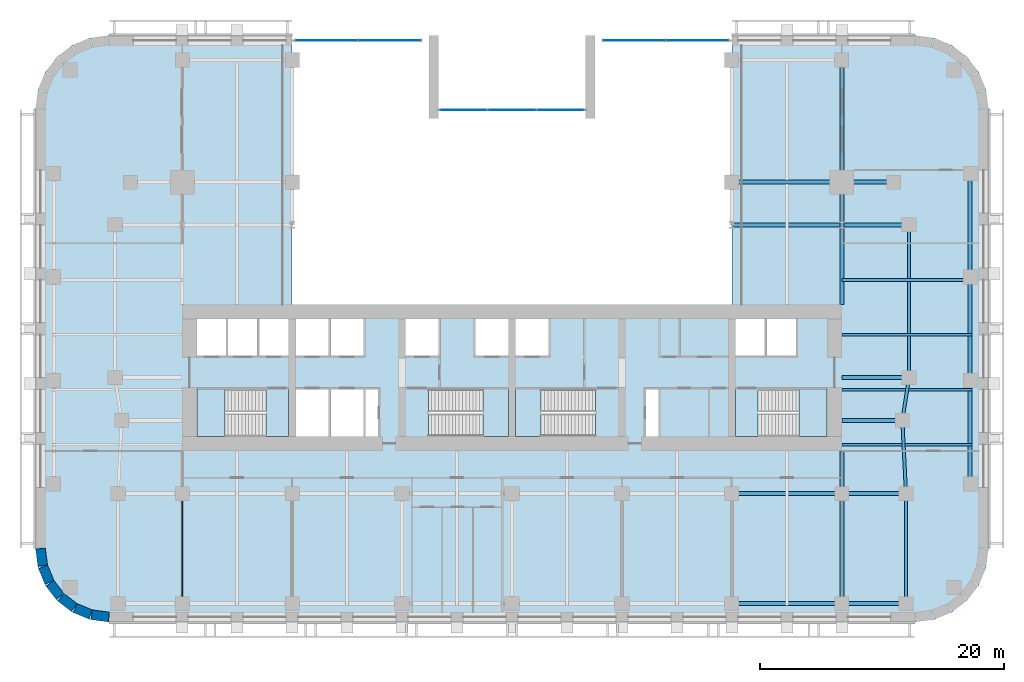
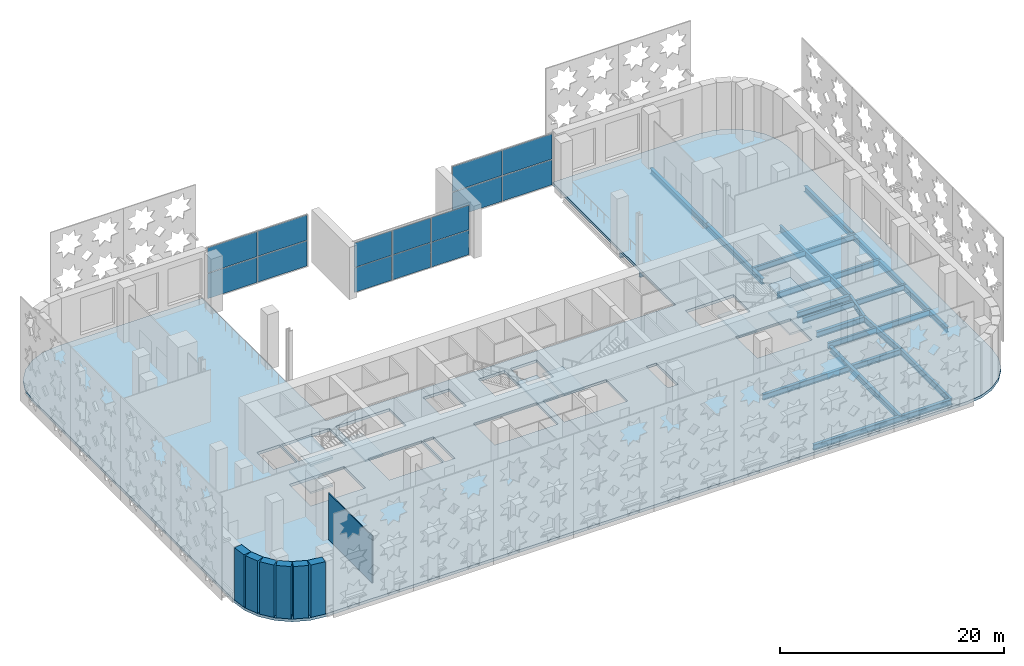
# One storey, part 4 of 17: 19 beams, 14 plates, 9 slabs, 7 walls, 9 elements without a shape of their own.
"""IFC4 building model written with IfcOpenShell, lengths in metres."""

from ifc_helpers import new_model, si_unit, direction, frame, frame_2d, origin, origin_2d, place, context, subcontext, project, spatial, polyline, rectangle, i_section, outline, extrude, material, layer, layer_set, material_profile, profile_set, type_object, element, aggregate, save


model = new_model("IFC4")

# Units and contexts
model_context = context("Model", 3, precision=1e-05, world=origin(), true_north=direction((0.0, 1.0)))
body_context = subcontext(model_context, "Body", "Model", "MODEL_VIEW")
ifc_project = project(units=[si_unit("LENGTHUNIT", "METRE"), si_unit("AREAUNIT", "SQUARE_METRE"), si_unit("VOLUMEUNIT", "CUBIC_METRE"), si_unit("PLANEANGLEUNIT", "RADIAN"), si_unit("MASSUNIT", "GRAM", prefix="KILO")], contexts=[model_context])

# Site, building, storey
site_placement = place(None, origin())
site = spatial("IfcSite", under=ifc_project, at=site_placement, CompositionType="ELEMENT")
building_placement = place(site_placement, origin())
building = spatial("IfcBuilding", under=site, at=building_placement, Name="Zellij Exchange Tower", CompositionType="ELEMENT")
storey_placement = place(building_placement, frame((0.0, 0.0, 9.0)))
storey = spatial("IfcBuildingStorey", under=building, at=storey_placement, Name="L01", CompositionType="ELEMENT", Elevation=9.0)

# Beams
ifc_material_1 = material(Name="Structural steel ASTM A992 Gr 50", Category="steel")
ifc_material_profile_1 = material_profile(ifc_material_1, i_section(OverallWidth=0.22900390625, OverallDepth=0.612060546875, WebThickness=0.011962890625, FlangeThickness=0.01953125, at=origin_2d()), Name="W24x84")
ifc_profile_set_1 = profile_set([ifc_material_profile_1], Name="Structural steel ASTM A992 Gr 50")
beam_type_1 = type_object("IfcBeamType", Name="STR-BEAM W24x84", PredefinedType="BEAM", material=ifc_profile_set_1)
for number, where, z_axis, x_axis, name in (
    (1, (27.0, -13.5, -0.606201171875), (1.0, 0.0, 0.0), (0.0, 1.0, 0.0), "B6"),
    (2, (27.0, -9.0, -0.606201171875), (1.0, 0.0, 0.0), (0.0, 1.0, 0.0), "B6"),
    (3, (27.0, -4.5, -0.606201171875), (1.0, 0.0, 0.0), (0.0, 1.0, 0.0), "B6"),
    (4, (27.0, 0.0, -0.606201171875), (1.0, 0.0, 0.0), (0.0, 1.0, 0.0), "B6"),
):
    element("IfcBeam", number, at=place(storey_placement, frame(where, z_axis=z_axis, x_axis=x_axis)), inside=storey, type_object=beam_type_1, Name=name, PredefinedType="BEAM", context=body_context, shape_type="SweptSolid", body=[
        extrude(i_section(OverallWidth=0.22900390625, OverallDepth=0.612060546875, WebThickness=0.011962890625, FlangeThickness=0.01953125, at=origin_2d()), origin(), (0.0, 0.0, 1.0), 10.66259765625),
    ])
ifc_material_profile_2 = material_profile(ifc_material_1, i_section(OverallWidth=0.25390625, OverallDepth=0.67822265625, WebThickness=0.01171875, FlangeThickness=0.016357421875, at=origin_2d()), Name="W27x84")
ifc_profile_set_2 = profile_set([ifc_material_profile_2], Name="Structural steel ASTM A992 Gr 50")
beam_type_2 = type_object("IfcBeamType", Name="STR-EDGE GIRDER W27x84", PredefinedType="BEAM", material=ifc_profile_set_2)
beam_1_placement = place(storey_placement, frame((32.25, -26.5, -0.63916015625), z_axis=(0.0, 1.0, 0.0), x_axis=(-1.0, 0.0, 0.0)))
element("IfcBeam", 5, at=beam_1_placement, inside=storey, type_object=beam_type_2, Name="EB7", PredefinedType="BEAM", context=body_context, shape_type="SweptSolid", body=[
    extrude(i_section(OverallWidth=0.25390625, OverallDepth=0.67822265625, WebThickness=0.01171875, FlangeThickness=0.016357421875, at=origin_2d()), origin(), (0.0, 0.0, 1.0), 9.0),
])
beam_2_placement = place(storey_placement, frame((32.25, -17.5, -0.63916015625), z_axis=(-0.049945724537, 0.998751933465, 0.0), x_axis=(-0.998751933465, -0.049945724537, 0.0)))
element("IfcBeam", 6, at=beam_2_placement, inside=storey, type_object=beam_type_2, Name="EB7", PredefinedType="BEAM", context=body_context, shape_type="SweptSolid", body=[
    extrude(i_section(OverallWidth=0.25390625, OverallDepth=0.67822265625, WebThickness=0.01171875, FlangeThickness=0.016357421875, at=origin_2d()), origin(), (0.0, 0.0, 1.0), 6.007568359375),
])
beam_3_placement = place(storey_placement, frame((31.949951171875, -11.5, -0.63916015625), z_axis=(0.155251283593, 0.987875011802, 0.0), x_axis=(-0.987875011802, 0.155251283593, 0.0)))
element("IfcBeam", 7, at=beam_3_placement, inside=storey, type_object=beam_type_2, Name="EB7", PredefinedType="BEAM", context=body_context, shape_type="SweptSolid", body=[
    extrude(i_section(OverallWidth=0.25390625, OverallDepth=0.67822265625, WebThickness=0.01171875, FlangeThickness=0.016357421875, at=origin_2d()), origin(), (0.0, 0.0, 1.0), 3.54296875),
])
beam_4_placement = place(storey_placement, frame((32.5, -8.0, -0.63916015625), z_axis=(0.0, 1.0, 0.0), x_axis=(-1.0, 0.0, 0.0)))
element("IfcBeam", 8, at=beam_4_placement, inside=storey, type_object=beam_type_2, Name="EB7", PredefinedType="BEAM", context=body_context, shape_type="SweptSolid", body=[
    extrude(i_section(OverallWidth=0.25390625, OverallDepth=0.67822265625, WebThickness=0.01171875, FlangeThickness=0.016357421875, at=origin_2d()), origin(), (0.0, 0.0, 1.0), 12.5),
])
ifc_material_profile_3 = material_profile(ifc_material_1, i_section(OverallWidth=0.3251953125, OverallDepth=0.612060546875, WebThickness=0.0126953125, FlangeThickness=0.01904296875, at=origin_2d()), Name="W24x104")
ifc_profile_set_3 = profile_set([ifc_material_profile_3], Name="Structural steel ASTM A992 Gr 50")
beam_type_3 = type_object("IfcBeamType", Name="STR-GIRDER W24x104", PredefinedType="BEAM", material=ifc_profile_set_3)
for number, where, z_axis, x_axis, name in (
    (9, (18.0, -26.5, -0.606201171875), (1.0, 0.0, 0.0), (0.0, 1.0, 0.0), "G3"),
    (10, (18.0, -17.5, -0.606201171875), (1.0, 0.0, 0.0), (0.0, 1.0, 0.0), "G3"),
):
    element("IfcBeam", number, at=place(storey_placement, frame(where, z_axis=z_axis, x_axis=x_axis)), inside=storey, type_object=beam_type_3, Name=name, PredefinedType="BEAM", context=body_context, shape_type="SweptSolid", body=[
        extrude(i_section(OverallWidth=0.3251953125, OverallDepth=0.612060546875, WebThickness=0.0126953125, FlangeThickness=0.01904296875, at=origin_2d()), origin(), (0.0, 0.0, 1.0), 14.25),
    ])
beam_5_placement = place(storey_placement, frame((27.0, -11.5, -0.606201171875), z_axis=(1.0, 0.0, 0.0), x_axis=(0.0, 1.0, 0.0)))
element("IfcBeam", 11, at=beam_5_placement, inside=storey, type_object=beam_type_3, Name="G3", PredefinedType="BEAM", context=body_context, shape_type="SweptSolid", body=[
    extrude(i_section(OverallWidth=0.3251953125, OverallDepth=0.612060546875, WebThickness=0.0126953125, FlangeThickness=0.01904296875, at=origin_2d()), origin(), (0.0, 0.0, 1.0), 4.949951171875),
])
beam_6_placement = place(storey_placement, frame((27.0, -8.0, -0.606201171875), z_axis=(1.0, 0.0, 0.0), x_axis=(0.0, 1.0, 0.0)))
element("IfcBeam", 12, at=beam_6_placement, inside=storey, type_object=beam_type_3, Name="G3", PredefinedType="BEAM", context=body_context, shape_type="SweptSolid", body=[
    extrude(i_section(OverallWidth=0.3251953125, OverallDepth=0.612060546875, WebThickness=0.0126953125, FlangeThickness=0.01904296875, at=origin_2d()), origin(), (0.0, 0.0, 1.0), 5.5),
])
beam_7_placement = place(storey_placement, frame((18.0, 4.5, -0.606201171875), z_axis=(1.0, 0.0, 0.0), x_axis=(0.0, 1.0, 0.0)))
element("IfcBeam", 13, at=beam_7_placement, inside=storey, type_object=beam_type_3, Name="G3", PredefinedType="BEAM", context=body_context, shape_type="SweptSolid", body=[
    extrude(i_section(OverallWidth=0.3251953125, OverallDepth=0.612060546875, WebThickness=0.0126953125, FlangeThickness=0.01904296875, at=origin_2d()), origin(), (0.0, 0.0, 1.0), 14.5),
])
beam_8_placement = place(storey_placement, frame((18.0, 8.0, -0.606201171875), z_axis=(1.0, 0.0, 0.0), x_axis=(0.0, 1.0, 0.0)))
element("IfcBeam", 14, at=beam_8_placement, inside=storey, type_object=beam_type_3, Name="G3", PredefinedType="BEAM", context=body_context, shape_type="SweptSolid", body=[
    extrude(i_section(OverallWidth=0.3251953125, OverallDepth=0.612060546875, WebThickness=0.0126953125, FlangeThickness=0.01904296875, at=origin_2d()), origin(), (0.0, 0.0, 1.0), 13.25),
])
beam_9_placement = place(storey_placement, frame((27.0, -26.5, -0.606201171875), z_axis=(0.0, 1.0, 0.0), x_axis=(-1.0, 0.0, 0.0)))
element("IfcBeam", 15, at=beam_9_placement, inside=storey, type_object=beam_type_3, Name="G3", PredefinedType="BEAM", context=body_context, shape_type="SweptSolid", body=[
    extrude(i_section(OverallWidth=0.3251953125, OverallDepth=0.612060546875, WebThickness=0.0126953125, FlangeThickness=0.01904296875, at=origin_2d()), origin(), (0.0, 0.0, 1.0), 12.5),
])
for number, where, z_axis, x_axis, name in (
    (16, (27.0, -2.0, -0.606201171875), (0.0, 1.0, 0.0), (-1.0, 0.0, 0.0), "G3"),
    (17, (27.0, 8.0, -0.606201171875), (0.0, 1.0, 0.0), (-1.0, 0.0, 0.0), "G3"),
):
    element("IfcBeam", number, at=place(storey_placement, frame(where, z_axis=z_axis, x_axis=x_axis)), inside=storey, type_object=beam_type_3, Name=name, PredefinedType="BEAM", context=body_context, shape_type="SweptSolid", body=[
        extrude(i_section(OverallWidth=0.3251953125, OverallDepth=0.612060546875, WebThickness=0.0126953125, FlangeThickness=0.01904296875, at=origin_2d()), origin(), (0.0, 0.0, 1.0), 10.0),
    ])
beam_10_placement = place(storey_placement, frame((37.5, -16.708984375, -0.606201171875), z_axis=(0.0, 1.0, 0.0), x_axis=(-1.0, 0.0, 0.0)))
element("IfcBeam", 18, at=beam_10_placement, inside=storey, type_object=beam_type_3, Name="G3", PredefinedType="BEAM", context=body_context, shape_type="SweptSolid", body=[
    extrude(i_section(OverallWidth=0.3251953125, OverallDepth=0.612060546875, WebThickness=0.0126953125, FlangeThickness=0.01904296875, at=origin_2d()), origin(), (0.0, 0.0, 1.0), 16.945068359375),
])
beam_11_placement = place(storey_placement, frame((37.5, 0.236083984375, -0.606201171875), z_axis=(0.0, 1.0, 0.0), x_axis=(-1.0, 0.0, 0.0)))
element("IfcBeam", 19, at=beam_11_placement, inside=storey, type_object=beam_type_3, Name="G3", PredefinedType="BEAM", context=body_context, shape_type="SweptSolid", body=[
    extrude(i_section(OverallWidth=0.3251953125, OverallDepth=0.612060546875, WebThickness=0.0126953125, FlangeThickness=0.01904296875, at=origin_2d()), origin(), (0.0, 0.0, 1.0), 8.472900390625),
])

# Stair, slabs
ifc_material_2 = material(Name="Concrete C40/50", Category="concrete")
stair_type = type_object("IfcStairType", Name="CORE-ST exit stair 1850 wide", PredefinedType="HALF_TURN_STAIR", material=ifc_material_2)
stair_1_placement = place(storey_placement, origin())
stair_1 = element("IfcStair", 20, at=stair_1_placement, inside=storey, type_object=stair_type, Name="L01 exit stair ST1", PredefinedType="HALF_TURN_STAIR")
ifc_layer_1 = layer(ifc_material_2, 0.199951171875)
ifc_layer_set_1 = layer_set([ifc_layer_1], Name="Concrete C40/50")
slab_type_1 = type_object("IfcSlabType", Name="CORE-SL stair landing 200", PredefinedType="LANDING", material=ifc_layer_set_1)
slab_1_placement = place(storey_placement, frame((0.0, 0.0, 1.300048828125)))
slab_1 = element("IfcSlab", 21, at=slab_1_placement, type_object=slab_type_1, Name="ST1 landing 1", PredefinedType="LANDING", context=body_context, shape_type="SweptSolid", body=[
    extrude(outline(polyline([(-23.510009765625, -8.949951171875), (-25.800048828125, -8.949951171875), (-25.800048828125, -12.800048828125), (-23.510009765625, -12.800048828125), (-23.510009765625, -8.949951171875)])), origin(), (0.0, 0.0, 1.0), 0.199951171875),
])
slab_2_placement = place(storey_placement, frame((0.0, 0.0, 2.800048828125)))
slab_2 = element("IfcSlab", 22, at=slab_2_placement, type_object=slab_type_1, Name="ST1 landing 2", PredefinedType="LANDING", context=body_context, shape_type="SweptSolid", body=[
    extrude(outline(polyline([(-18.300048828125, -8.949951171875), (-20.14990234375, -8.949951171875), (-20.14990234375, -12.800048828125), (-18.300048828125, -12.800048828125), (-18.300048828125, -8.949951171875)])), origin(), (0.0, 0.0, 1.0), 0.199951171875),
])
slab_3_placement = place(storey_placement, frame((0.0, 0.0, 4.300048828125)))
slab_3 = element("IfcSlab", 23, at=slab_3_placement, type_object=slab_type_1, Name="ST1 landing 3", PredefinedType="LANDING", context=body_context, shape_type="SweptSolid", body=[
    extrude(outline(polyline([(-23.510009765625, -8.949951171875), (-25.800048828125, -8.949951171875), (-25.800048828125, -12.800048828125), (-23.510009765625, -12.800048828125), (-23.510009765625, -8.949951171875)])), origin(), (0.0, 0.0, 1.0), 0.199951171875),
])
aggregate(stair_1, [slab_1, slab_2, slab_3])

# Stair, slab
stair_2_placement = place(storey_placement, origin())
stair_2 = element("IfcStair", 24, at=stair_2_placement, inside=storey, type_object=stair_type, Name="L01 exit stair ST2", PredefinedType="HALF_TURN_STAIR")
slab_4_placement = place(storey_placement, frame((0.0, 0.0, 2.800048828125)))
slab_4 = element("IfcSlab", 25, at=slab_4_placement, type_object=slab_type_1, Name="ST2 landing 1", PredefinedType="LANDING", context=body_context, shape_type="SweptSolid", body=[
    extrude(outline(polyline([(-2.3701171875, -12.800048828125), (-0.300048828125, -12.800048828125), (-0.300048828125, -8.949951171875), (-2.3701171875, -8.949951171875), (-2.3701171875, -12.800048828125)])), origin(), (0.0, 0.0, 1.0), 0.199951171875),
])
aggregate(stair_2, [slab_4])

stair_3_placement = place(storey_placement, origin())
stair_3 = element("IfcStair", 26, at=stair_3_placement, inside=storey, type_object=stair_type, Name="L01 exit stair ST3", PredefinedType="HALF_TURN_STAIR")
slab_5_placement = place(storey_placement, frame((0.0, 0.0, 2.800048828125)))
slab_5 = element("IfcSlab", 27, at=slab_5_placement, type_object=slab_type_1, Name="ST3 landing 1", PredefinedType="LANDING", context=body_context, shape_type="SweptSolid", body=[
    extrude(outline(polyline([(2.3701171875, -8.949951171875), (0.300048828125, -8.949951171875), (0.300048828125, -12.800048828125), (2.3701171875, -12.800048828125), (2.3701171875, -8.949951171875)])), origin(), (0.0, 0.0, 1.0), 0.199951171875),
])
aggregate(stair_3, [slab_5])

# Stair, slabs
stair_4_placement = place(storey_placement, origin())
stair_4 = element("IfcStair", 28, at=stair_4_placement, inside=storey, type_object=stair_type, Name="L01 exit stair ST4", PredefinedType="HALF_TURN_STAIR")
slab_6_placement = place(storey_placement, frame((0.0, 0.0, 1.300048828125)))
slab_6 = element("IfcSlab", 29, at=slab_6_placement, type_object=slab_type_1, Name="ST4 landing 1", PredefinedType="LANDING", context=body_context, shape_type="SweptSolid", body=[
    extrude(outline(polyline([(23.510009765625, -12.800048828125), (25.800048828125, -12.800048828125), (25.800048828125, -8.949951171875), (23.510009765625, -8.949951171875), (23.510009765625, -12.800048828125)])), origin(), (0.0, 0.0, 1.0), 0.199951171875),
])
slab_7_placement = place(storey_placement, frame((0.0, 0.0, 2.800048828125)))
slab_7 = element("IfcSlab", 30, at=slab_7_placement, type_object=slab_type_1, Name="ST4 landing 2", PredefinedType="LANDING", context=body_context, shape_type="SweptSolid", body=[
    extrude(outline(polyline([(18.300048828125, -12.800048828125), (20.14990234375, -12.800048828125), (20.14990234375, -8.949951171875), (18.300048828125, -8.949951171875), (18.300048828125, -12.800048828125)])), origin(), (0.0, 0.0, 1.0), 0.199951171875),
])
slab_8_placement = place(storey_placement, frame((0.0, 0.0, 4.300048828125)))
slab_8 = element("IfcSlab", 31, at=slab_8_placement, type_object=slab_type_1, Name="ST4 landing 3", PredefinedType="LANDING", context=body_context, shape_type="SweptSolid", body=[
    extrude(outline(polyline([(23.510009765625, -12.800048828125), (25.800048828125, -12.800048828125), (25.800048828125, -8.949951171875), (23.510009765625, -8.949951171875), (23.510009765625, -12.800048828125)])), origin(), (0.0, 0.0, 1.0), 0.199951171875),
])
aggregate(stair_4, [slab_6, slab_7, slab_8])

# Curtain wall, plates
ifc_material_3 = material(Name="Aluminium frame, clear insulating glass", Category="aluminium")
curtain_wall_type_1 = type_object("IfcCurtainWallType", Name="ENV-CW3 Exchange-hall glazing", PredefinedType="NOTDEFINED", material=ifc_material_3)
curtain_wall_1_placement = place(storey_placement, origin())
curtain_wall_1 = element("IfcCurtainWall", 32, at=curtain_wall_1_placement, inside=storey, type_object=curtain_wall_type_1, Name="cw.L01.14b", PredefinedType="NOTDEFINED")
ifc_material_4 = material(Name="Insulating glass unit, clear", Category="glass")
ifc_layer_2 = layer(ifc_material_4, 0.0439453125)
ifc_layer_set_2 = layer_set([ifc_layer_2], Name="Insulating glass unit, clear")
plate_type_1 = type_object("IfcPlateType", Name="ENV-CW3P Glazed panel 44", PredefinedType="CURTAIN_PANEL", material=ifc_layer_set_2)
plate_1_placement = place(storey_placement, frame((15.179931640625, 19.60009765625, 0.080078125), z_axis=(0.0, 0.0, 1.0), x_axis=(-1.0, 0.0, 0.0)))
plate_1 = element("IfcPlate", 33, at=plate_1_placement, type_object=plate_type_1, Name="CW3 panel 1.1", PredefinedType="CURTAIN_PANEL", context=body_context, shape_type="SweptSolid", body=[
    extrude(rectangle(XDim=5.080078125, YDim=0.0439453125, at=origin_2d()), origin(), (0.0, 0.0, 1.0), 2.72998046875),
])
plate_2_placement = place(storey_placement, frame((15.179931640625, 19.60009765625, 2.889892578125), z_axis=(0.0, 0.0, 1.0), x_axis=(-1.0, 0.0, 0.0)))
plate_2 = element("IfcPlate", 34, at=plate_2_placement, type_object=plate_type_1, Name="CW3 panel 1.2", PredefinedType="CURTAIN_PANEL", context=body_context, shape_type="SweptSolid", body=[
    extrude(rectangle(XDim=5.080078125, YDim=0.0439453125, at=origin_2d()), origin(), (0.0, 0.0, 1.0), 2.72998046875),
])
plate_3_placement = place(storey_placement, frame((10.02001953125, 19.60009765625, 0.080078125), z_axis=(0.0, 0.0, 1.0), x_axis=(-1.0, 0.0, 0.0)))
plate_3 = element("IfcPlate", 35, at=plate_3_placement, type_object=plate_type_1, Name="CW3 panel 2.1", PredefinedType="CURTAIN_PANEL", context=body_context, shape_type="SweptSolid", body=[
    extrude(rectangle(XDim=5.080078125, YDim=0.0439453125, at=origin_2d()), origin(), (0.0, 0.0, 1.0), 2.72998046875),
])
plate_4_placement = place(storey_placement, frame((10.02001953125, 19.60009765625, 2.889892578125), z_axis=(0.0, 0.0, 1.0), x_axis=(-1.0, 0.0, 0.0)))
plate_4 = element("IfcPlate", 36, at=plate_4_placement, type_object=plate_type_1, Name="CW3 panel 2.2", PredefinedType="CURTAIN_PANEL", context=body_context, shape_type="SweptSolid", body=[
    extrude(rectangle(XDim=5.080078125, YDim=0.0439453125, at=origin_2d()), origin(), (0.0, 0.0, 1.0), 2.72998046875),
])
aggregate(curtain_wall_1, [plate_1, plate_2, plate_3, plate_4])

curtain_wall_2_placement = place(storey_placement, origin())
curtain_wall_2 = element("IfcCurtainWall", 37, at=curtain_wall_2_placement, inside=storey, type_object=curtain_wall_type_1, Name="cw.L01.14c", PredefinedType="NOTDEFINED")
plate_5_placement = place(storey_placement, frame((-10.02001953125, 19.60009765625, 0.080078125), z_axis=(0.0, 0.0, 1.0), x_axis=(-1.0, 0.0, 0.0)))
plate_5 = element("IfcPlate", 38, at=plate_5_placement, type_object=plate_type_1, Name="CW3 panel 1.1", PredefinedType="CURTAIN_PANEL", context=body_context, shape_type="SweptSolid", body=[
    extrude(rectangle(XDim=5.080078125, YDim=0.0439453125, at=origin_2d()), origin(), (0.0, 0.0, 1.0), 2.72998046875),
])
plate_6_placement = place(storey_placement, frame((-10.02001953125, 19.60009765625, 2.889892578125), z_axis=(0.0, 0.0, 1.0), x_axis=(-1.0, 0.0, 0.0)))
plate_6 = element("IfcPlate", 39, at=plate_6_placement, type_object=plate_type_1, Name="CW3 panel 1.2", PredefinedType="CURTAIN_PANEL", context=body_context, shape_type="SweptSolid", body=[
    extrude(rectangle(XDim=5.080078125, YDim=0.0439453125, at=origin_2d()), origin(), (0.0, 0.0, 1.0), 2.72998046875),
])
plate_7_placement = place(storey_placement, frame((-15.179931640625, 19.60009765625, 0.080078125), z_axis=(0.0, 0.0, 1.0), x_axis=(-1.0, 0.0, 0.0)))
plate_7 = element("IfcPlate", 40, at=plate_7_placement, type_object=plate_type_1, Name="CW3 panel 2.1", PredefinedType="CURTAIN_PANEL", context=body_context, shape_type="SweptSolid", body=[
    extrude(rectangle(XDim=5.080078125, YDim=0.0439453125, at=origin_2d()), origin(), (0.0, 0.0, 1.0), 2.72998046875),
])
plate_8_placement = place(storey_placement, frame((-15.179931640625, 19.60009765625, 2.889892578125), z_axis=(0.0, 0.0, 1.0), x_axis=(-1.0, 0.0, 0.0)))
plate_8 = element("IfcPlate", 41, at=plate_8_placement, type_object=plate_type_1, Name="CW3 panel 2.2", PredefinedType="CURTAIN_PANEL", context=body_context, shape_type="SweptSolid", body=[
    extrude(rectangle(XDim=5.080078125, YDim=0.0439453125, at=origin_2d()), origin(), (0.0, 0.0, 1.0), 2.72998046875),
])
aggregate(curtain_wall_2, [plate_5, plate_6, plate_7, plate_8])

ifc_material_5 = material(Name="Aluminium frame, clear laminated glass", Category="aluminium")
curtain_wall_type_2 = type_object("IfcCurtainWallType", Name="ENV-CW4 Iwan portal glazing", PredefinedType="NOTDEFINED", material=ifc_material_5)
curtain_wall_3_placement = place(storey_placement, origin())
curtain_wall_3 = element("IfcCurtainWall", 42, at=curtain_wall_3_placement, inside=storey, type_object=curtain_wall_type_2, Name="cw.L01.iwan.Na", PredefinedType="NOTDEFINED")
ifc_layer_3 = layer(ifc_material_4, 0.035888671875)
ifc_layer_set_3 = layer_set([ifc_layer_3], Name="Insulating glass unit, clear")
plate_type_2 = type_object("IfcPlateType", Name="ENV-CW4P Glazed panel 36", PredefinedType="CURTAIN_PANEL", material=ifc_layer_set_3)
plate_9_placement = place(storey_placement, frame((-3.97509765625, 13.919921875, 0.06005859375), z_axis=(0.0, 0.0, 1.0), x_axis=(1.0, 0.0, 0.0)))
plate_9 = element("IfcPlate", 43, at=plate_9_placement, type_object=plate_type_2, Name="CW4 panel 1.1", PredefinedType="CURTAIN_PANEL", context=body_context, shape_type="SweptSolid", body=[
    extrude(rectangle(XDim=3.830078125, YDim=0.035888671875, at=origin_2d()), origin(), (0.0, 0.0, 1.0), 2.659912109375),
])
plate_10_placement = place(storey_placement, frame((-3.97509765625, 13.919921875, 2.7802734375), z_axis=(0.0, 0.0, 1.0), x_axis=(1.0, 0.0, 0.0)))
plate_10 = element("IfcPlate", 44, at=plate_10_placement, type_object=plate_type_2, Name="CW4 panel 1.2", PredefinedType="CURTAIN_PANEL", context=body_context, shape_type="SweptSolid", body=[
    extrude(rectangle(XDim=3.830078125, YDim=0.035888671875, at=origin_2d()), origin(), (0.0, 0.0, 1.0), 2.659912109375),
])
aggregate(curtain_wall_3, [plate_9, plate_10])

curtain_wall_4_placement = place(storey_placement, origin())
curtain_wall_4 = element("IfcCurtainWall", 45, at=curtain_wall_4_placement, inside=storey, type_object=curtain_wall_type_2, Name="cw.L01.iwan.Nb", PredefinedType="NOTDEFINED")
plate_11_placement = place(storey_placement, frame((0.0, 13.919921875, 0.06005859375), z_axis=(0.0, 0.0, 1.0), x_axis=(1.0, 0.0, 0.0)))
plate_11 = element("IfcPlate", 46, at=plate_11_placement, type_object=plate_type_2, Name="CW4 panel 1.1", PredefinedType="CURTAIN_PANEL", context=body_context, shape_type="SweptSolid", body=[
    extrude(rectangle(XDim=3.8798828125, YDim=0.035888671875, at=origin_2d()), origin(), (0.0, 0.0, 1.0), 2.659912109375),
])
plate_12_placement = place(storey_placement, frame((0.0, 13.919921875, 2.7802734375), z_axis=(0.0, 0.0, 1.0), x_axis=(1.0, 0.0, 0.0)))
plate_12 = element("IfcPlate", 47, at=plate_12_placement, type_object=plate_type_2, Name="CW4 panel 1.2", PredefinedType="CURTAIN_PANEL", context=body_context, shape_type="SweptSolid", body=[
    extrude(rectangle(XDim=3.8798828125, YDim=0.035888671875, at=origin_2d()), origin(), (0.0, 0.0, 1.0), 2.659912109375),
])
aggregate(curtain_wall_4, [plate_11, plate_12])

curtain_wall_5_placement = place(storey_placement, origin())
curtain_wall_5 = element("IfcCurtainWall", 48, at=curtain_wall_5_placement, inside=storey, type_object=curtain_wall_type_2, Name="cw.L01.iwan.Nc", PredefinedType="NOTDEFINED")
plate_13_placement = place(storey_placement, frame((3.97509765625, 13.919921875, 0.06005859375), z_axis=(0.0, 0.0, 1.0), x_axis=(1.0, 0.0, 0.0)))
plate_13 = element("IfcPlate", 49, at=plate_13_placement, type_object=plate_type_2, Name="CW4 panel 1.1", PredefinedType="CURTAIN_PANEL", context=body_context, shape_type="SweptSolid", body=[
    extrude(rectangle(XDim=3.830078125, YDim=0.035888671875, at=origin_2d()), origin(), (0.0, 0.0, 1.0), 2.659912109375),
])
plate_14_placement = place(storey_placement, frame((3.97509765625, 13.919921875, 2.7802734375), z_axis=(0.0, 0.0, 1.0), x_axis=(1.0, 0.0, 0.0)))
plate_14 = element("IfcPlate", 50, at=plate_14_placement, type_object=plate_type_2, Name="CW4 panel 1.2", PredefinedType="CURTAIN_PANEL", context=body_context, shape_type="SweptSolid", body=[
    extrude(rectangle(XDim=3.830078125, YDim=0.035888671875, at=origin_2d()), origin(), (0.0, 0.0, 1.0), 2.659912109375),
])
aggregate(curtain_wall_5, [plate_13, plate_14])

# Slab
ifc_material_6 = material(Name="Concrete C50/60", Category="concrete")
ifc_layer_4 = layer(ifc_material_6, 0.300048828125)
ifc_layer_set_4 = layer_set([ifc_layer_4], Name="Concrete C50/60")
slab_type_2 = type_object("IfcSlabType", Name="STR-FLOOR SLAB 300 C50/60", PredefinedType="FLOOR", material=ifc_layer_set_4)
slab_9_placement = place(storey_placement, frame((0.0, 0.0, -0.300048828125)))
element("IfcSlab", 51, at=slab_9_placement, inside=storey, type_object=slab_type_2, Name="Floor L01", PredefinedType="FLOOR", context=body_context, shape_type="SweptSolid", body=[
    extrude(outline(polyline([(33.0, 20.0), (34.552978515625, 19.795654296875), (36.0, 19.1962890625), (37.24267578125, 18.24267578125), (38.1962890625, 17.0), (38.795654296875, 15.552978515625), (39.0, 14.0), (39.0, -22.0), (38.795654296875, -23.552978515625), (38.1962890625, -25.0), (37.24267578125, -26.24267578125), (36.0, -27.1962890625), (34.552978515625, -27.795654296875), (33.0, -28.0), (-33.0, -28.0), (-34.552978515625, -27.795654296875), (-36.0, -27.1962890625), (-37.24267578125, -26.24267578125), (-38.1962890625, -25.0), (-38.795654296875, -23.552978515625), (-39.0, -22.0), (-39.0, 14.0), (-38.795654296875, 15.552978515625), (-38.1962890625, 17.0), (-37.24267578125, 18.24267578125), (-36.0, 19.1962890625), (-34.552978515625, 19.795654296875), (-33.0, 20.0), (-18.0, 20.0), (-18.0, -2.0), (18.0, -2.0), (18.0, 20.0), (33.0, 20.0)]), holes=[polyline([(-25.800048828125, -8.949951171875), (-25.800048828125, -12.800048828125), (-20.153076171875, -12.800048828125), (-20.153076171875, -8.949951171875), (-25.800048828125, -8.949951171875)]), polyline([(-12.14990234375, -8.949951171875), (-17.699951171875, -8.949951171875), (-17.699951171875, -12.800048828125), (-12.14990234375, -12.800048828125), (-12.14990234375, -8.949951171875)]), polyline([(-10.949951171875, -8.949951171875), (-12.0, -8.949951171875), (-12.0, -12.800048828125), (-10.949951171875, -12.800048828125), (-10.949951171875, -8.949951171875)]), polyline([(-0.300048828125, -8.949951171875), (-6.846923828125, -8.949951171875), (-6.846923828125, -12.800048828125), (-0.300048828125, -12.800048828125), (-0.300048828125, -8.949951171875)]), polyline([(-23.39990234375, -3.199951171875), (-25.800048828125, -3.199951171875), (-25.800048828125, -6.22509765625), (-23.39990234375, -6.22509765625), (-23.39990234375, -3.199951171875)]), polyline([(-18.300048828125, -3.199951171875), (-23.25, -3.199951171875), (-23.25, -6.22509765625), (-18.300048828125, -6.22509765625), (-18.300048828125, -3.199951171875)]), polyline([(-12.14990234375, -3.199951171875), (-17.699951171875, -3.199951171875), (-17.699951171875, -6.22509765625), (-12.14990234375, -6.22509765625), (-12.14990234375, -3.199951171875)]), polyline([(-6.0, -3.199951171875), (-8.699951171875, -3.199951171875), (-8.699951171875, -6.22509765625), (-6.0, -6.22509765625), (-6.0, -3.199951171875)]), polyline([(6.846923828125, -8.949951171875), (0.300048828125, -8.949951171875), (0.300048828125, -12.800048828125), (6.846923828125, -12.800048828125), (6.846923828125, -8.949951171875)]), polyline([(12.0, -8.949951171875), (10.949951171875, -8.949951171875), (10.949951171875, -12.800048828125), (12.0, -12.800048828125), (12.0, -8.949951171875)]), polyline([(25.800048828125, -8.949951171875), (20.153076171875, -8.949951171875), (20.153076171875, -12.800048828125), (25.800048828125, -12.800048828125), (25.800048828125, -8.949951171875)]), polyline([(-0.300048828125, -3.199951171875), (-3.0, -3.199951171875), (-3.0, -6.22509765625), (-0.300048828125, -6.22509765625), (-0.300048828125, -3.199951171875)]), polyline([(3.0, -3.199951171875), (0.300048828125, -3.199951171875), (0.300048828125, -6.22509765625), (3.0, -6.22509765625), (3.0, -3.199951171875)]), polyline([(23.25, -3.199951171875), (18.300048828125, -3.199951171875), (18.300048828125, -6.22509765625), (23.25, -6.22509765625), (23.25, -3.199951171875)])]), origin(), (0.0, 0.0, 1.0), 0.300048828125),
])

# Walls
ifc_material_7 = material(Name="Precast concrete C40/50", Category="concrete")
ifc_layer_5 = layer(ifc_material_7, 0.800048828125)
ifc_layer_set_5 = layer_set([ifc_layer_5], Name="Precast concrete C40/50")
wall_type_1 = type_object("IfcWallType", Name="ENV-EW1 Precast stone-piered wall 800", PredefinedType="SOLIDWALL", material=ifc_layer_set_5)
wall_1_placement = place(storey_placement, frame((-38.5966796875, -21.999755859375, 0.0), z_axis=(0.0, 0.0, 1.0), x_axis=(0.130517283865, -0.99144603414, 0.0)))
element("IfcWall", 52, at=wall_1_placement, inside=storey, type_object=wall_type_1, Name="fac.L01.22", PredefinedType="SOLIDWALL", context=body_context, shape_type="SweptSolid", body=[
    extrude(rectangle(XDim=1.408447265625, YDim=0.800048828125, at=frame_2d((0.7041015625, 0.0))), origin(), (0.0, 0.0, 1.0), 5.699951171875),
])
wall_2_placement = place(storey_placement, frame((-38.3857421875, -23.497314453125, 0.0), z_axis=(0.0, 0.0, 1.0), x_axis=(0.38276009378, -0.923847774587, 0.0)))
element("IfcWall", 53, at=wall_2_placement, inside=storey, type_object=wall_type_1, Name="fac.L01.23", PredefinedType="SOLIDWALL", context=body_context, shape_type="SweptSolid", body=[
    extrude(rectangle(XDim=1.35546875, YDim=0.800048828125, at=frame_2d((0.677734375, 0.0))), origin(), (0.0, 0.0, 1.0), 5.699951171875),
])
for number, where, z_axis, x_axis, name in (
    (54, (-37.814697265625, -24.840087890625, 0.0), (0.0, 0.0, 1.0), (0.608866226366, -0.793272915452, 0.0), "fac.L01.24"),
    (55, (-36.91552734375, -25.9892578125, 0.0), (0.0, 0.0, 1.0), (0.793272915452, -0.608866226366, 0.0), "fac.L01.25"),
):
    element("IfcWall", number, at=place(storey_placement, frame(where, z_axis=z_axis, x_axis=x_axis)), inside=storey, type_object=wall_type_1, Name=name, PredefinedType="SOLIDWALL", context=body_context, shape_type="SweptSolid", body=[
        extrude(rectangle(XDim=1.355712890625, YDim=0.800048828125, at=frame_2d((0.677734375, 0.0))), origin(), (0.0, 0.0, 1.0), 5.699951171875),
    ])
wall_3_placement = place(storey_placement, frame((-35.74951171875, -26.866943359375, 0.0), z_axis=(0.0, 0.0, 1.0), x_axis=(0.923847774587, -0.38276009378, 0.0)))
element("IfcWall", 56, at=wall_3_placement, inside=storey, type_object=wall_type_1, Name="fac.L01.26", PredefinedType="SOLIDWALL", context=body_context, shape_type="SweptSolid", body=[
    extrude(rectangle(XDim=1.35546875, YDim=0.800048828125, at=frame_2d((0.677734375, 0.0))), origin(), (0.0, 0.0, 1.0), 5.699951171875),
])
wall_4_placement = place(storey_placement, frame((-34.396240234375, -27.412841796875, 0.0), z_axis=(0.0, 0.0, 1.0), x_axis=(0.99144603414, -0.130517283865, 0.0)))
element("IfcWall", 57, at=wall_4_placement, inside=storey, type_object=wall_type_1, Name="fac.L01.27", PredefinedType="SOLIDWALL", context=body_context, shape_type="SweptSolid", body=[
    extrude(rectangle(XDim=1.408447265625, YDim=0.800048828125, at=frame_2d((0.7041015625, 0.0))), origin(), (0.0, 0.0, 1.0), 5.699951171875),
])
ifc_material_8 = material(Name="Gypsum board partition on steel studs", Category="steel")
ifc_layer_6 = layer(ifc_material_8, 0.10009765625)
ifc_layer_set_6 = layer_set([ifc_layer_6], Name="Gypsum board partition on steel studs")
wall_type_2 = type_object("IfcWallType", Name="FIT-PARTITION-100", PredefinedType="PARTITIONING", material=ifc_layer_set_6)
wall_5_placement = place(storey_placement, frame((-27.0, -25.89990234375, 0.0), z_axis=(0.0, 0.0, 1.0), x_axis=(0.0, 1.0, 0.0)))
element("IfcWall", 58, at=wall_5_placement, inside=storey, type_object=wall_type_2, Name="FIT-PARTITION-100 001", PredefinedType="PARTITIONING", context=body_context, shape_type="SweptSolid", body=[
    extrude(rectangle(XDim=7.7998046875, YDim=0.10009765625, at=frame_2d((3.89990234375, 0.0))), origin(), (0.0, 0.0, 1.0), 5.087890625),
])

save(model, "model.ifc")
